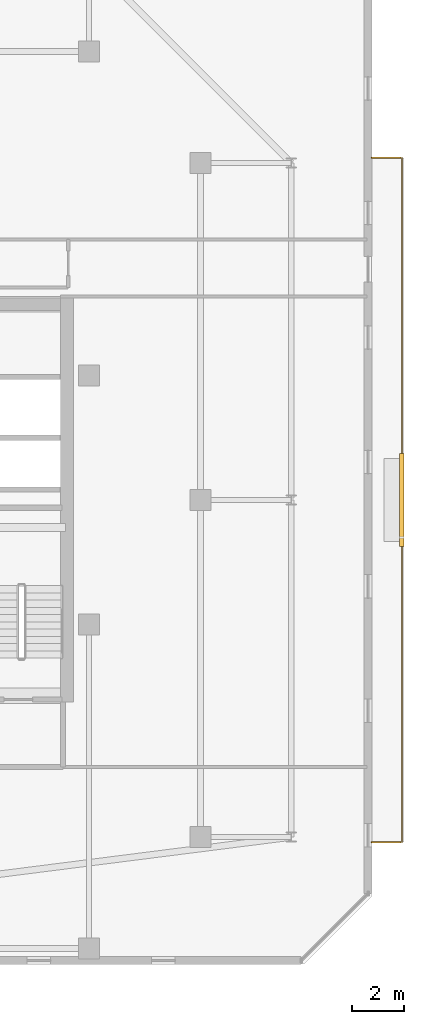
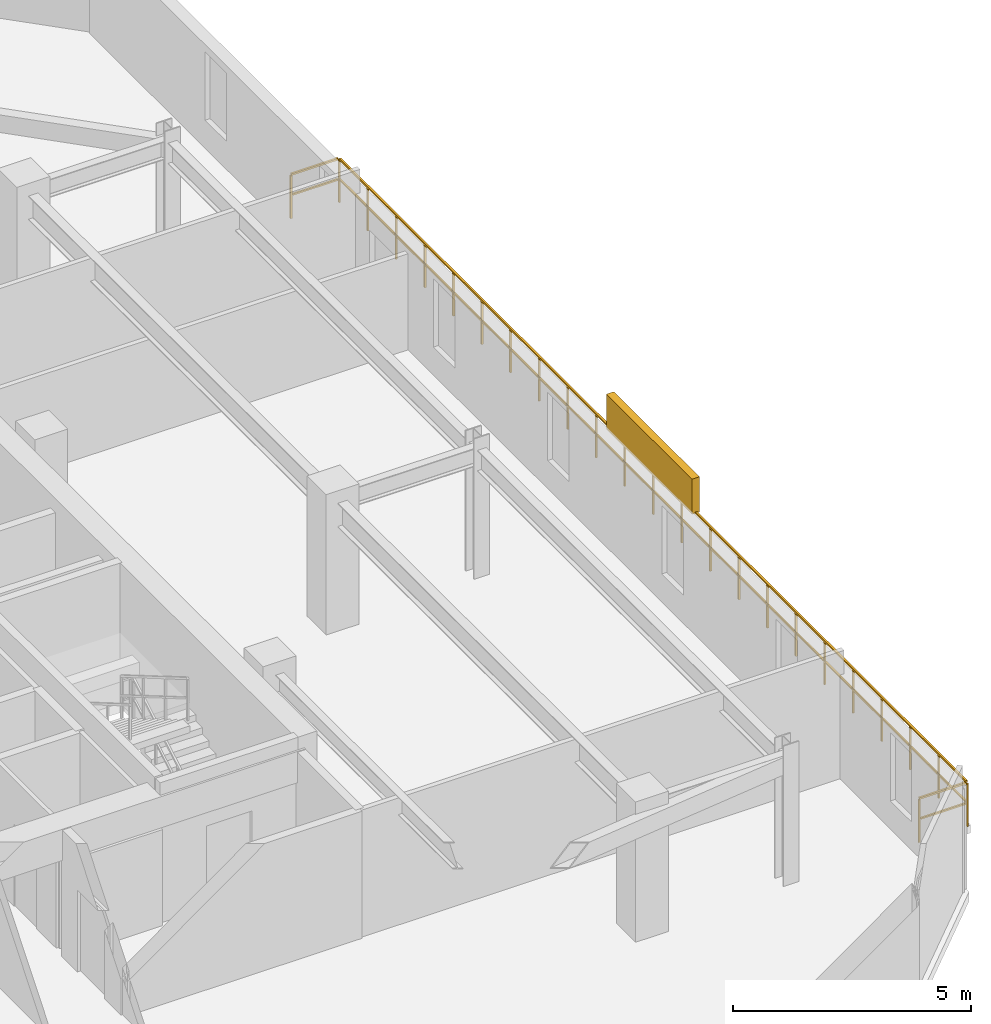
# One storey, part 35 of 35: 1 railing, 1 shading device.
"""IFC4 building model written with IfcOpenShell, lengths in metres."""

from ifc_helpers import new_model, si_unit, direction, frame, origin, origin_2d, place, context, subcontext, project, spatial, rectangle, extrude, material, type_object, element, save


model = new_model("IFC4")

# Units and contexts
model_context = context("Model", 3, precision=1e-05, world=origin(), true_north=direction((0.0, 1.0)))
body_context = subcontext(model_context, "Body", "Model", "MODEL_VIEW")
ifc_project = project(units=[si_unit("LENGTHUNIT", "METRE"), si_unit("AREAUNIT", "SQUARE_METRE"), si_unit("VOLUMEUNIT", "CUBIC_METRE"), si_unit("PLANEANGLEUNIT", "RADIAN"), si_unit("MASSUNIT", "GRAM", prefix="KILO")], contexts=[model_context])

# Site, building, storey
site_placement = place(None, origin())
site = spatial("IfcSite", under=ifc_project, at=site_placement, CompositionType="ELEMENT")
building_placement = place(site_placement, origin())
building = spatial("IfcBuilding", under=site, at=building_placement, Name="Thornwick Lancets Civic Towers", CompositionType="ELEMENT")
storey_placement = place(building_placement, frame((0.0, 0.0, 276.300048828125)))
storey = spatial("IfcBuildingStorey", under=building, at=storey_placement, Name="L74", CompositionType="ELEMENT", Elevation=276.300048828125)

# Railing
ifc_material_1 = material(Name="Terracotta-capped laminated glass balustrade S355", Category="masonry")
railing_type = type_object("IfcRailingType", Name="RAIL_TERR_GUARD", PredefinedType="GUARDRAIL", material=ifc_material_1)
railing_placement = place(storey_placement, frame((112.39990234375, 13.800048828125, 0.0)))
element("IfcRailing", 1, at=railing_placement, inside=storey, type_object=railing_type, Name="L74 Tower B Balcony Guard E", PredefinedType="GUARDRAIL", context=body_context, shape_type="SweptSolid", body=[
    extrude(rectangle(XDim=0.048095703125, YDim=0.048095703125, at=origin_2d()), frame((0.0, 0.0, 1.1259765625), z_axis=(1.0, 0.0, 0.0), x_axis=(0.0, 1.0, 0.0)), (0.0, 0.0, 1.0), 1.138916015625),
    extrude(rectangle(XDim=0.0419921875, YDim=0.0419921875, at=origin_2d()), frame((0.03759765625, 0.0, 0.597900390625), z_axis=(1.0, 0.0, 0.0), x_axis=(0.0, 1.0, 0.0)), (0.0, 0.0, 1.0), 1.09521484375),
    extrude(rectangle(XDim=0.048095703125, YDim=0.048095703125, at=origin_2d()), frame((1.170166015625, 0.03125, 1.1259765625), z_axis=(0.0, 1.0, 0.0), x_axis=(-1.0, 0.0, 0.0)), (0.0, 0.0, 1.0), 26.33740234375),
    extrude(rectangle(XDim=0.0419921875, YDim=0.0419921875, at=origin_2d()), frame((1.170166015625, 0.03759765625, 0.597900390625), z_axis=(0.0, 1.0, 0.0), x_axis=(-1.0, 0.0, 0.0)), (0.0, 0.0, 1.0), 1.125),
    extrude(rectangle(XDim=0.0419921875, YDim=0.0419921875, at=origin_2d()), frame((1.170166015625, 1.237548828125, 0.597900390625), z_axis=(0.0, 1.0, 0.0), x_axis=(-1.0, 0.0, 0.0)), (0.0, 0.0, 1.0), 1.125),
    extrude(rectangle(XDim=0.0419921875, YDim=0.0419921875, at=origin_2d()), frame((1.170166015625, 2.4375, 0.597900390625), z_axis=(0.0, 1.0, 0.0), x_axis=(-1.0, 0.0, 0.0)), (0.0, 0.0, 1.0), 1.125),
    extrude(rectangle(XDim=0.0419921875, YDim=0.0419921875, at=origin_2d()), frame((1.170166015625, 3.637451171875, 0.597900390625), z_axis=(0.0, 1.0, 0.0), x_axis=(-1.0, 0.0, 0.0)), (0.0, 0.0, 1.0), 1.125),
    extrude(rectangle(XDim=0.0419921875, YDim=0.0419921875, at=origin_2d()), frame((1.170166015625, 4.83740234375, 0.597900390625), z_axis=(0.0, 1.0, 0.0), x_axis=(-1.0, 0.0, 0.0)), (0.0, 0.0, 1.0), 1.125),
    extrude(rectangle(XDim=0.0419921875, YDim=0.0419921875, at=origin_2d()), frame((1.170166015625, 6.037353515625, 0.597900390625), z_axis=(0.0, 1.0, 0.0), x_axis=(-1.0, 0.0, 0.0)), (0.0, 0.0, 1.0), 1.125),
    extrude(rectangle(XDim=0.0419921875, YDim=0.0419921875, at=origin_2d()), frame((1.170166015625, 7.237548828125, 0.597900390625), z_axis=(0.0, 1.0, 0.0), x_axis=(-1.0, 0.0, 0.0)), (0.0, 0.0, 1.0), 1.125),
    extrude(rectangle(XDim=0.0419921875, YDim=0.0419921875, at=origin_2d()), frame((1.170166015625, 8.4375, 0.597900390625), z_axis=(0.0, 1.0, 0.0), x_axis=(-1.0, 0.0, 0.0)), (0.0, 0.0, 1.0), 1.125),
    extrude(rectangle(XDim=0.0419921875, YDim=0.0419921875, at=origin_2d()), frame((1.170166015625, 9.637451171875, 0.597900390625), z_axis=(0.0, 1.0, 0.0), x_axis=(-1.0, 0.0, 0.0)), (0.0, 0.0, 1.0), 1.125),
    extrude(rectangle(XDim=0.0419921875, YDim=0.0419921875, at=origin_2d()), frame((1.170166015625, 10.83740234375, 0.597900390625), z_axis=(0.0, 1.0, 0.0), x_axis=(-1.0, 0.0, 0.0)), (0.0, 0.0, 1.0), 1.125),
    extrude(rectangle(XDim=0.0419921875, YDim=0.0419921875, at=origin_2d()), frame((1.170166015625, 12.037353515625, 0.597900390625), z_axis=(0.0, 1.0, 0.0), x_axis=(-1.0, 0.0, 0.0)), (0.0, 0.0, 1.0), 1.125),
    extrude(rectangle(XDim=0.0419921875, YDim=0.0419921875, at=origin_2d()), frame((1.170166015625, 13.237548828125, 0.597900390625), z_axis=(0.0, 1.0, 0.0), x_axis=(-1.0, 0.0, 0.0)), (0.0, 0.0, 1.0), 1.125),
    extrude(rectangle(XDim=0.0419921875, YDim=0.0419921875, at=origin_2d()), frame((1.170166015625, 14.4375, 0.597900390625), z_axis=(0.0, 1.0, 0.0), x_axis=(-1.0, 0.0, 0.0)), (0.0, 0.0, 1.0), 1.125),
    extrude(rectangle(XDim=0.0419921875, YDim=0.0419921875, at=origin_2d()), frame((1.170166015625, 15.637451171875, 0.597900390625), z_axis=(0.0, 1.0, 0.0), x_axis=(-1.0, 0.0, 0.0)), (0.0, 0.0, 1.0), 1.125),
    extrude(rectangle(XDim=0.0419921875, YDim=0.0419921875, at=origin_2d()), frame((1.170166015625, 16.83740234375, 0.597900390625), z_axis=(0.0, 1.0, 0.0), x_axis=(-1.0, 0.0, 0.0)), (0.0, 0.0, 1.0), 1.125),
    extrude(rectangle(XDim=0.0419921875, YDim=0.0419921875, at=origin_2d()), frame((1.170166015625, 18.037353515625, 0.597900390625), z_axis=(0.0, 1.0, 0.0), x_axis=(-1.0, 0.0, 0.0)), (0.0, 0.0, 1.0), 1.125),
    extrude(rectangle(XDim=0.0419921875, YDim=0.0419921875, at=origin_2d()), frame((1.170166015625, 19.2373046875, 0.597900390625), z_axis=(0.0, 1.0, 0.0), x_axis=(-1.0, 0.0, 0.0)), (0.0, 0.0, 1.0), 1.125),
    extrude(rectangle(XDim=0.0419921875, YDim=0.0419921875, at=origin_2d()), frame((1.170166015625, 20.4375, 0.597900390625), z_axis=(0.0, 1.0, 0.0), x_axis=(-1.0, 0.0, 0.0)), (0.0, 0.0, 1.0), 1.125),
    extrude(rectangle(XDim=0.0419921875, YDim=0.0419921875, at=origin_2d()), frame((1.170166015625, 21.637451171875, 0.597900390625), z_axis=(0.0, 1.0, 0.0), x_axis=(-1.0, 0.0, 0.0)), (0.0, 0.0, 1.0), 1.125),
    extrude(rectangle(XDim=0.0419921875, YDim=0.0419921875, at=origin_2d()), frame((1.170166015625, 22.83740234375, 0.597900390625), z_axis=(0.0, 1.0, 0.0), x_axis=(-1.0, 0.0, 0.0)), (0.0, 0.0, 1.0), 1.125),
    extrude(rectangle(XDim=0.0419921875, YDim=0.0419921875, at=origin_2d()), frame((1.170166015625, 24.037353515625, 0.597900390625), z_axis=(0.0, 1.0, 0.0), x_axis=(-1.0, 0.0, 0.0)), (0.0, 0.0, 1.0), 1.125),
    extrude(rectangle(XDim=0.0419921875, YDim=0.0419921875, at=origin_2d()), frame((1.170166015625, 25.2373046875, 0.597900390625), z_axis=(0.0, 1.0, 0.0), x_axis=(-1.0, 0.0, 0.0)), (0.0, 0.0, 1.0), 1.125),
    extrude(rectangle(XDim=0.048095703125, YDim=0.048095703125, at=origin_2d()), frame((1.138916015625, 26.39990234375, 1.1259765625), z_axis=(-1.0, 0.0, 0.0), x_axis=(0.0, -1.0, 0.0)), (0.0, 0.0, 1.0), 1.138916015625),
    extrude(rectangle(XDim=0.0419921875, YDim=0.0419921875, at=origin_2d()), frame((1.132568359375, 26.39990234375, 0.597900390625), z_axis=(-1.0, 0.0, 0.0), x_axis=(0.0, -1.0, 0.0)), (0.0, 0.0, 1.0), 1.09521484375),
    extrude(rectangle(XDim=0.0419921875, YDim=0.0419921875, at=origin_2d()), origin(), (0.0, 0.0, 1.0), 1.095703125),
    extrude(rectangle(XDim=0.0419921875, YDim=0.0419921875, at=origin_2d()), frame((1.170166015625, 0.0, 0.0)), (0.0, 0.0, 1.0), 1.095703125),
    extrude(rectangle(XDim=0.0419921875, YDim=0.0419921875, at=origin_2d()), frame((1.170166015625, 1.199951171875, 0.0)), (0.0, 0.0, 1.0), 1.095703125),
    extrude(rectangle(XDim=0.0419921875, YDim=0.0419921875, at=origin_2d()), frame((1.170166015625, 2.39990234375, 0.0)), (0.0, 0.0, 1.0), 1.095703125),
    extrude(rectangle(XDim=0.0419921875, YDim=0.0419921875, at=origin_2d()), frame((1.170166015625, 3.60009765625, 0.0)), (0.0, 0.0, 1.0), 1.095703125),
    extrude(rectangle(XDim=0.0419921875, YDim=0.0419921875, at=origin_2d()), frame((1.170166015625, 4.800048828125, 0.0)), (0.0, 0.0, 1.0), 1.095703125),
    extrude(rectangle(XDim=0.0419921875, YDim=0.0419921875, at=origin_2d()), frame((1.170166015625, 6.0, 0.0)), (0.0, 0.0, 1.0), 1.095703125),
    extrude(rectangle(XDim=0.0419921875, YDim=0.0419921875, at=origin_2d()), frame((1.170166015625, 7.199951171875, 0.0)), (0.0, 0.0, 1.0), 1.095703125),
    extrude(rectangle(XDim=0.0419921875, YDim=0.0419921875, at=origin_2d()), frame((1.170166015625, 8.39990234375, 0.0)), (0.0, 0.0, 1.0), 1.095703125),
    extrude(rectangle(XDim=0.0419921875, YDim=0.0419921875, at=origin_2d()), frame((1.170166015625, 9.599853515625, 0.0)), (0.0, 0.0, 1.0), 1.095703125),
    extrude(rectangle(XDim=0.0419921875, YDim=0.0419921875, at=origin_2d()), frame((1.170166015625, 10.800048828125, 0.0)), (0.0, 0.0, 1.0), 1.095703125),
    extrude(rectangle(XDim=0.0419921875, YDim=0.0419921875, at=origin_2d()), frame((1.170166015625, 12.0, 0.0)), (0.0, 0.0, 1.0), 1.095703125),
    extrude(rectangle(XDim=0.0419921875, YDim=0.0419921875, at=origin_2d()), frame((1.170166015625, 13.199951171875, 0.0)), (0.0, 0.0, 1.0), 1.095703125),
    extrude(rectangle(XDim=0.0419921875, YDim=0.0419921875, at=origin_2d()), frame((1.170166015625, 14.39990234375, 0.0)), (0.0, 0.0, 1.0), 1.095703125),
    extrude(rectangle(XDim=0.0419921875, YDim=0.0419921875, at=origin_2d()), frame((1.170166015625, 15.599853515625, 0.0)), (0.0, 0.0, 1.0), 1.095703125),
    extrude(rectangle(XDim=0.0419921875, YDim=0.0419921875, at=origin_2d()), frame((1.170166015625, 16.800048828125, 0.0)), (0.0, 0.0, 1.0), 1.095703125),
    extrude(rectangle(XDim=0.0419921875, YDim=0.0419921875, at=origin_2d()), frame((1.170166015625, 18.0, 0.0)), (0.0, 0.0, 1.0), 1.095703125),
    extrude(rectangle(XDim=0.0419921875, YDim=0.0419921875, at=origin_2d()), frame((1.170166015625, 19.199951171875, 0.0)), (0.0, 0.0, 1.0), 1.095703125),
    extrude(rectangle(XDim=0.0419921875, YDim=0.0419921875, at=origin_2d()), frame((1.170166015625, 20.39990234375, 0.0)), (0.0, 0.0, 1.0), 1.095703125),
    extrude(rectangle(XDim=0.0419921875, YDim=0.0419921875, at=origin_2d()), frame((1.170166015625, 21.599853515625, 0.0)), (0.0, 0.0, 1.0), 1.095703125),
    extrude(rectangle(XDim=0.0419921875, YDim=0.0419921875, at=origin_2d()), frame((1.170166015625, 22.7998046875, 0.0)), (0.0, 0.0, 1.0), 1.095703125),
    extrude(rectangle(XDim=0.0419921875, YDim=0.0419921875, at=origin_2d()), frame((1.170166015625, 24.0, 0.0)), (0.0, 0.0, 1.0), 1.095703125),
    extrude(rectangle(XDim=0.0419921875, YDim=0.0419921875, at=origin_2d()), frame((1.170166015625, 25.199951171875, 0.0)), (0.0, 0.0, 1.0), 1.095703125),
    extrude(rectangle(XDim=0.0419921875, YDim=0.0419921875, at=origin_2d()), frame((1.170166015625, 26.39990234375, 0.0)), (0.0, 0.0, 1.0), 1.095703125),
    extrude(rectangle(XDim=0.0419921875, YDim=0.0419921875, at=origin_2d()), frame((0.0, 26.39990234375, 0.0)), (0.0, 0.0, 1.0), 1.095703125),
])

# Shading device
ifc_material_2 = material(Name="Extruded terracotta baguette solar screen", Category="masonry")
shading_device_type = type_object("IfcShadingDeviceType", Name="SHADE_BAGUETTE", PredefinedType="JALOUSIE", material=ifc_material_2)
shading_device_placement = place(storey_placement, frame((113.56005859375, 27.0, 1.1201171875), z_axis=(0.0, 0.0, 1.0), x_axis=(0.0, 1.0, 0.0)))
element("IfcShadingDevice", 2, at=shading_device_placement, inside=storey, type_object=shading_device_type, Name="L74 Tower B Terracotta Baguette Screen E", PredefinedType="JALOUSIE", context=body_context, shape_type="SweptSolid", body=[
    extrude(rectangle(XDim=3.60009765625, YDim=0.179931640625, at=origin_2d()), origin(), (0.0, 0.0, 1.0), 0.89990234375),
])

save(model, "model.ifc")
